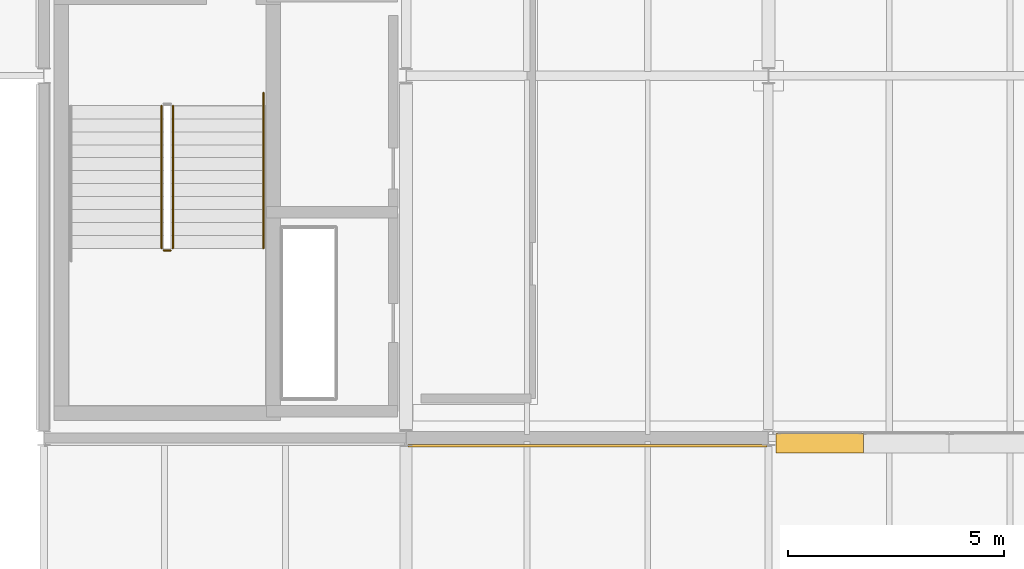
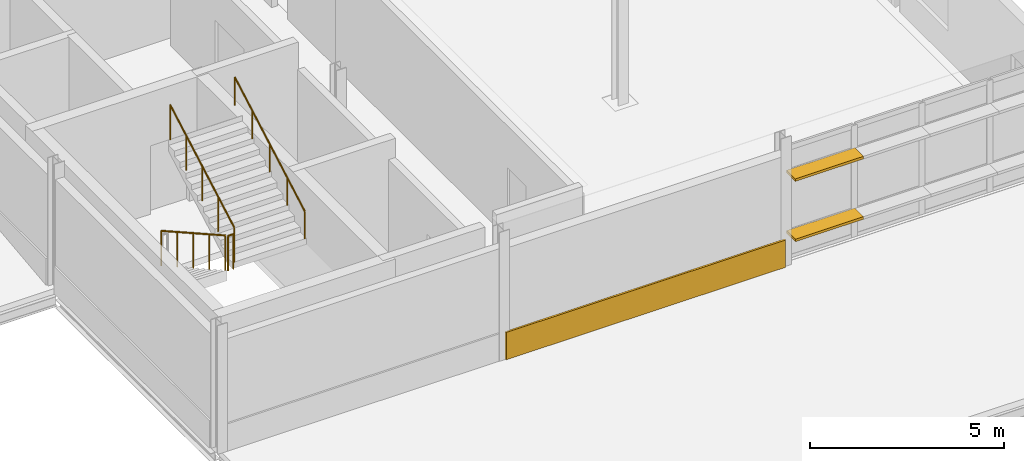
# One storey, part 135 of 151: 4 railings, 2 shading devices, 1 covering.
"""IFC4 building model written with IfcOpenShell, lengths in metres."""

from ifc_helpers import new_model, si_unit, direction, frame, origin, origin_2d, place, context, subcontext, project, spatial, rectangle, circle, extrude, material, layer, layer_set, type_object, element, save


model = new_model("IFC4")

# Units and contexts
model_context = context("Model", 3, precision=1e-05, world=origin(), true_north=direction((0.0, 1.0)))
body_context = subcontext(model_context, "Body", "Model", "MODEL_VIEW")
ifc_project = project(units=[si_unit("LENGTHUNIT", "METRE"), si_unit("AREAUNIT", "SQUARE_METRE"), si_unit("VOLUMEUNIT", "CUBIC_METRE"), si_unit("PLANEANGLEUNIT", "RADIAN"), si_unit("MASSUNIT", "GRAM", prefix="KILO")], contexts=[model_context])

# Site, building, storey
site_placement = place(None, origin())
site = spatial("IfcSite", under=ifc_project, at=site_placement, CompositionType="ELEMENT")
building_placement = place(site_placement, origin())
building = spatial("IfcBuilding", under=site, at=building_placement, Name="Mersafa Astral City Hall", CompositionType="ELEMENT")
storey_placement = place(building_placement, frame((0.0, 0.0, 9.89990234375)))
storey = spatial("IfcBuildingStorey", under=building, at=storey_placement, Name="L02", CompositionType="ELEMENT", Elevation=9.89990234375)

# Covering
ifc_material_1 = material(Name="Cairo Mokattam buff limestone cladding", Category="masonry")
ifc_layer = layer(ifc_material_1, 0.06005859375, Name="Cairo Mokattam buff limestone cladding")
ifc_layer_set = layer_set([ifc_layer], Name="Cairo Mokattam buff limestone cladding — ENV-COV-LIMESTONE-60")
covering_type = type_object("IfcCoveringType", Name="ENV-COV-LIMESTONE-60", PredefinedType="CLADDING", material=ifc_layer_set)
covering_placement = place(storey_placement, frame((130.199951171875, 8.222900390625, 0.0), z_axis=(0.0, 0.0, 1.0), x_axis=(1.0, 0.0, 0.0)))
element("IfcCovering", 1, at=covering_placement, inside=storey, type_object=covering_type, Name="L02 Cairo buff limestone rainscreen cladding 155", PredefinedType="CLADDING", context=body_context, shape_type="SweptSolid", body=[
    extrude(rectangle(XDim=8.323974609375, YDim=0.06005859375, at=origin_2d()), origin(), (0.0, 0.0, 1.0), 0.860107421875),
])

# Shading devices
ifc_material_2 = material(Name="Kiln-dried cedar timber brise-soleil blade", Category="wood")
shading_device_type = type_object("IfcShadingDeviceType", Name="ENV-SHD-LOUVRE-450", PredefinedType="JALOUSIE", material=ifc_material_2)
for number, where, z_axis, x_axis, name in (
    (2, (135.58642578125, 8.284912109375, 0.81005859375), (0.0, 0.0, 1.0), (1.0, 0.0, 0.0), "L02 Horizontal cedar brise-soleil louvre 674"),
    (3, (135.58642578125, 8.284912109375, 2.7099609375), (0.0, 0.0, 1.0), (1.0, 0.0, 0.0), "L02 Horizontal cedar brise-soleil louvre 678"),
):
    element("IfcShadingDevice", number, at=place(storey_placement, frame(where, z_axis=z_axis, x_axis=x_axis)), inside=storey, type_object=shading_device_type, Name=name, PredefinedType="JALOUSIE", context=body_context, shape_type="SweptSolid", body=[
        extrude(rectangle(XDim=2.029052734375, YDim=0.449951171875, at=origin_2d()), origin(), (0.0, 0.0, 1.0), 0.080078125),
    ])

# Railings
ifc_material_3 = material(Name="Painted architectural steel stair guard balustrade", Category="steel")
railing_type_1 = type_object("IfcRailingType", Name="GUARD-RAIL", PredefinedType="BALUSTRADE", material=ifc_material_3)
railing_1_placement = place(storey_placement, frame((120.330078125, 16.10009765625, 0.1689453125)))
element("IfcRailing", 4, at=railing_1_placement, inside=storey, type_object=railing_type_1, Name="L02 ST5 stair guard 1", PredefinedType="BALUSTRADE", context=body_context, shape_type="SweptSolid", body=[
    extrude(circle(Radius=0.02392578125, at=origin_2d()), frame((0.0, 0.0, 1.09619140625), z_axis=(0.0, -0.871584147158, 0.490245932592), x_axis=(1.0, 0.0, 0.0)), (0.0, 0.0, 1.0), 3.786376953125),
    extrude(circle(Radius=0.02099609375, at=origin_2d()), origin(), (0.0, 0.0, 1.0), 1.072021484375),
    extrude(circle(Radius=0.02099609375, at=origin_2d()), frame((0.0, -0.824951171875, 0.464111328125)), (0.0, 0.0, 1.0), 1.072021484375),
    extrude(circle(Radius=0.02099609375, at=origin_2d()), frame((0.0, -1.64990234375, 0.92822265625)), (0.0, 0.0, 1.0), 1.072021484375),
    extrude(circle(Radius=0.02099609375, at=origin_2d()), frame((0.0, -2.47509765625, 1.39208984375)), (0.0, 0.0, 1.0), 1.072021484375),
    extrude(circle(Radius=0.02099609375, at=origin_2d()), frame((0.0, -3.300048828125, 1.856201171875)), (0.0, 0.0, 1.0), 1.072021484375),
])
railing_2_placement = place(storey_placement, frame((120.3798828125, 12.75, 2.025146484375)))
element("IfcRailing", 5, at=railing_2_placement, inside=storey, type_object=railing_type_1, Name="L02 ST5 stair guard 2", PredefinedType="BALUSTRADE", context=body_context, shape_type="SweptSolid", body=[
    extrude(circle(Radius=0.02392578125, at=origin_2d()), frame((0.0, 0.0, 1.09619140625), z_axis=(1.0, 0.0, 0.0), x_axis=(0.0, 1.0, 0.0)), (0.0, 0.0, 1.0), 0.16015625),
    extrude(circle(Radius=0.02099609375, at=origin_2d()), origin(), (0.0, 0.0, 1.0), 1.072021484375),
    extrude(circle(Radius=0.02099609375, at=origin_2d()), frame((0.16015625, 0.0, 0.0)), (0.0, 0.0, 1.0), 1.072021484375),
])
railing_3_placement = place(storey_placement, frame((120.590087890625, 12.800048828125, 2.19384765625)))
element("IfcRailing", 6, at=railing_3_placement, inside=storey, type_object=railing_type_1, Name="L02 ST5 stair guard 3", PredefinedType="BALUSTRADE", context=body_context, shape_type="SweptSolid", body=[
    extrude(circle(Radius=0.02392578125, at=origin_2d()), frame((0.0, 0.0, 1.09619140625), z_axis=(0.0, 0.871584147158, 0.490245932592), x_axis=(-1.0, 0.0, 0.0)), (0.0, 0.0, 1.0), 3.786376953125),
    extrude(circle(Radius=0.02099609375, at=origin_2d()), origin(), (0.0, 0.0, 1.0), 1.072021484375),
    extrude(circle(Radius=0.02099609375, at=origin_2d()), frame((0.0, 0.824951171875, 0.464111328125)), (0.0, 0.0, 1.0), 1.072021484375),
    extrude(circle(Radius=0.02099609375, at=origin_2d()), frame((0.0, 1.64990234375, 0.92822265625)), (0.0, 0.0, 1.0), 1.072021484375),
    extrude(circle(Radius=0.02099609375, at=origin_2d()), frame((0.0, 2.47509765625, 1.39208984375)), (0.0, 0.0, 1.0), 1.072021484375),
    extrude(circle(Radius=0.02099609375, at=origin_2d()), frame((0.0, 3.300048828125, 1.856201171875)), (0.0, 0.0, 1.0), 1.072021484375),
])
ifc_material_4 = material(Name="Brushed stainless steel tubular handrail", Category="steel")
railing_type_2 = type_object("IfcRailingType", Name="HANDRAIL", PredefinedType="HANDRAIL", material=ifc_material_4)
railing_4_placement = place(storey_placement, frame((122.68994140625, 12.800048828125, 2.19384765625)))
element("IfcRailing", 7, at=railing_4_placement, inside=storey, type_object=railing_type_2, Name="L02 ST5 stair handrail 2", PredefinedType="HANDRAIL", context=body_context, shape_type="SweptSolid", body=[
    extrude(circle(Radius=0.02392578125, at=origin_2d()), frame((0.0, 0.0, 0.8759765625), z_axis=(0.0, 0.871248695433, 0.49084183879), x_axis=(-1.0, 0.0, 0.0)), (0.0, 0.0, 1.0), 4.1318359375),
    extrude(circle(Radius=0.02099609375, at=origin_2d()), origin(), (0.0, 0.0, 1.0), 0.851806640625),
    extrude(circle(Radius=0.02099609375, at=origin_2d()), frame((0.0, 0.89990234375, 0.507080078125)), (0.0, 0.0, 1.0), 0.851806640625),
    extrude(circle(Radius=0.02099609375, at=origin_2d()), frame((0.0, 1.7998046875, 1.01416015625)), (0.0, 0.0, 1.0), 0.851806640625),
    extrude(circle(Radius=0.02099609375, at=origin_2d()), frame((0.0, 2.699951171875, 1.52099609375)), (0.0, 0.0, 1.0), 0.851806640625),
    extrude(circle(Radius=0.02099609375, at=origin_2d()), frame((0.0, 3.599853515625, 2.028076171875)), (0.0, 0.0, 1.0), 0.851806640625),
])

save(model, "model.ifc")
